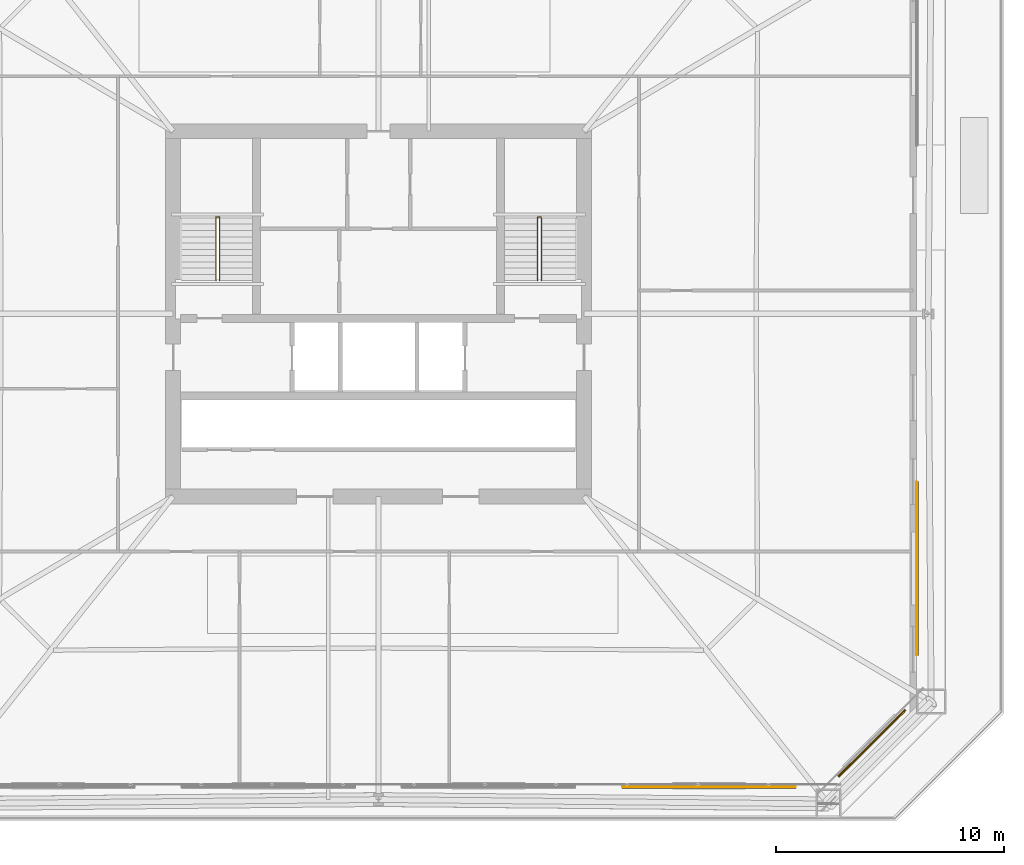
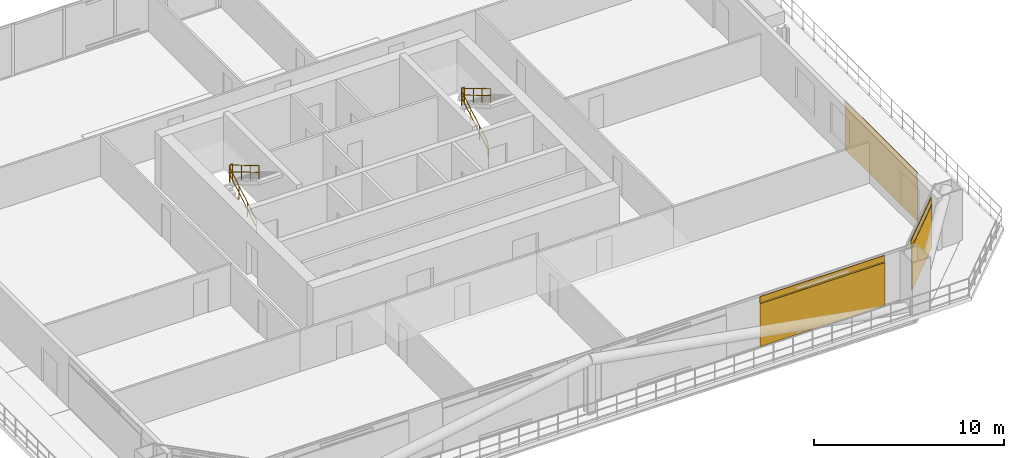
# One storey, part 33 of 34: 6 railings, 3 coverings, 3 shading devices.
"""IFC4 building model written with IfcOpenShell, lengths in metres."""

from ifc_helpers import new_model, si_unit, direction, frame, origin, origin_2d, place, context, subcontext, project, spatial, rectangle, circle, extrude, material, layer, layer_set, type_object, element, save


model = new_model("IFC4")

# Units and contexts
model_context = context("Model", 3, precision=1e-05, world=origin(), true_north=direction((0.0, 1.0)))
body_context = subcontext(model_context, "Body", "Model", "MODEL_VIEW")
ifc_project = project(units=[si_unit("LENGTHUNIT", "METRE"), si_unit("AREAUNIT", "SQUARE_METRE"), si_unit("VOLUMEUNIT", "CUBIC_METRE"), si_unit("PLANEANGLEUNIT", "RADIAN"), si_unit("MASSUNIT", "GRAM", prefix="KILO")], contexts=[model_context])

# Site, building, storey
site_placement = place(None, origin())
site = spatial("IfcSite", under=ifc_project, at=site_placement, CompositionType="ELEMENT")
building_placement = place(site_placement, origin())
building = spatial("IfcBuilding", under=site, at=building_placement, Name="Caelvoria Tower", CompositionType="ELEMENT")
storey_placement = place(building_placement, frame((0.0, 0.0, 28.0)))
storey = spatial("IfcBuildingStorey", under=building, at=storey_placement, Name="L06", CompositionType="ELEMENT", Elevation=28.0)

# Coverings
ifc_material_1 = material(Name="Perforated Architectural Bronze Cladding Screen", Category="bronze")
ifc_layer_1 = layer(ifc_material_1, 0.0400390625, Name="Perforated Architectural Bronze Cladding Screen")
ifc_layer_set_1 = layer_set([ifc_layer_1], Name="Perforated Bronze Louvre Cladding Band 40 - Perforated Architectural Bronze Cladding Screen")
covering_type = type_object("IfcCoveringType", Name="Perforated Bronze Louvre Cladding Band 40", PredefinedType="CLADDING", material=ifc_layer_set_1)
covering_1_placement = place(storey_placement, frame((60.47509765625, 11.278076171875, 2.93994140625), z_axis=(0.0, 0.0, 1.0), x_axis=(1.0, 0.0, 0.0)))
element("IfcCovering", 1, at=covering_1_placement, inside=storey, type_object=covering_type, Name="Perforated Bronze Screen Band L06-E0-03", PredefinedType="CLADDING", context=body_context, shape_type="SweptSolid", body=[
    extrude(rectangle(XDim=7.60009765625, YDim=0.0400390625, at=origin_2d()), origin(), (0.0, 0.0, 1.0), 0.39990234375),
])
covering_2_placement = place(storey_placement, frame((67.59619140625, 13.20361328125, 2.93994140625), z_axis=(0.0, 0.0, 1.0), x_axis=(0.707106781187, 0.707106781187, 0.0)))
element("IfcCovering", 2, at=covering_2_placement, inside=storey, type_object=covering_type, Name="Perforated Bronze Screen Band L06-E1-00", PredefinedType="CLADDING", context=body_context, shape_type="SweptSolid", body=[
    extrude(rectangle(XDim=4.140625, YDim=0.0400390625, at=origin_2d()), origin(), (0.0, 0.0, 1.0), 0.39990234375),
])
covering_3_placement = place(storey_placement, frame((69.572021484375, 20.840087890625, 2.93994140625), z_axis=(0.0, 0.0, 1.0), x_axis=(0.0, 1.0, 0.0)))
element("IfcCovering", 3, at=covering_3_placement, inside=storey, type_object=covering_type, Name="Perforated Bronze Screen Band L06-E2-00", PredefinedType="CLADDING", context=body_context, shape_type="SweptSolid", body=[
    extrude(rectangle(XDim=7.60009765625, YDim=0.0400390625, at=origin_2d()), origin(), (0.0, 0.0, 1.0), 0.39990234375),
])

# Shading devices
ifc_material_2 = material(Name="Perforated Architectural Bronze Alloy Panel", Category="bronze")
ifc_layer_2 = layer(ifc_material_2, 0.044921875, Name="Perforated Architectural Bronze Alloy Panel")
ifc_layer_set_2 = layer_set([ifc_layer_2], Name="Perforated Bronze Solar Screen Panel SCREEN - Perforated Architectural Bronze Alloy Panel")
shading_device_type = type_object("IfcShadingDeviceType", Name="Perforated Bronze Solar Screen Panel SCREEN", PredefinedType="USERDEFINED", material=ifc_layer_set_2)
shading_device_1_placement = place(storey_placement, frame((60.47509765625, 11.235107421875, 0.159912109375), z_axis=(0.0, 0.0, 1.0), x_axis=(1.0, 0.0, 0.0)))
element("IfcShadingDevice", 4, at=shading_device_1_placement, inside=storey, type_object=shading_device_type, Name="Perforated Bronze Solar Screen L06-E0-03", ObjectType="SCREEN", PredefinedType="USERDEFINED", context=body_context, shape_type="SweptSolid", body=[
    extrude(rectangle(XDim=7.60009765625, YDim=0.044921875, at=origin_2d()), origin(), (0.0, 0.0, 1.0), 2.75),
])
shading_device_2_placement = place(storey_placement, frame((67.626708984375, 13.17333984375, 0.159912109375), z_axis=(0.0, 0.0, 1.0), x_axis=(0.707106781187, 0.707106781187, 0.0)))
element("IfcShadingDevice", 5, at=shading_device_2_placement, inside=storey, type_object=shading_device_type, Name="Perforated Bronze Solar Screen L06-E1-00", ObjectType="SCREEN", PredefinedType="USERDEFINED", context=body_context, shape_type="SweptSolid", body=[
    extrude(rectangle(XDim=4.140625, YDim=0.044921875, at=origin_2d()), origin(), (0.0, 0.0, 1.0), 2.75),
])
shading_device_3_placement = place(storey_placement, frame((69.614990234375, 20.840087890625, 0.159912109375), z_axis=(0.0, 0.0, 1.0), x_axis=(0.0, 1.0, 0.0)))
element("IfcShadingDevice", 6, at=shading_device_3_placement, inside=storey, type_object=shading_device_type, Name="Perforated Bronze Solar Screen L06-E2-00", ObjectType="SCREEN", PredefinedType="USERDEFINED", context=body_context, shape_type="SweptSolid", body=[
    extrude(rectangle(XDim=7.60009765625, YDim=0.044921875, at=origin_2d()), origin(), (0.0, 0.0, 1.0), 2.75),
])

# Railings
ifc_material_3 = material(Name="Brushed Stainless Steel Tube", Category="steel")
railing_type_1 = type_object("IfcRailingType", Name="Stair Tubular Stainless Handrail 920", PredefinedType="HANDRAIL", material=ifc_material_3)
railing_1_placement = place(storey_placement, frame((38.8701171875, 33.449951171875, 0.16357421875)))
element("IfcRailing", 7, at=railing_1_placement, inside=storey, type_object=railing_type_1, Name="ST-01 Flight 1 Handrail L06", PredefinedType="HANDRAIL", context=body_context, shape_type="SweptSolid", body=[
    extrude(circle(Radius=0.02392578125, at=origin_2d()), frame((0.0, 0.0, 0.89599609375), z_axis=(0.0, 0.859351957796, 0.511384603436), x_axis=(-1.0, 0.0, 0.0)), (0.0, 0.0, 1.0), 3.2001953125),
    extrude(circle(Radius=0.02392578125, at=origin_2d()), frame((0.0, 0.0, 0.4599609375), z_axis=(0.0, 0.859351957796, 0.511384603436), x_axis=(-1.0, 0.0, 0.0)), (0.0, 0.0, 1.0), 3.2001953125),
    extrude(circle(Radius=0.02099609375, at=origin_2d()), origin(), (0.0, 0.0, 1.0), 0.871826171875),
    extrude(circle(Radius=0.02099609375, at=origin_2d()), frame((0.0, 0.916748046875, 0.54541015625)), (0.0, 0.0, 1.0), 0.871826171875),
    extrude(circle(Radius=0.02099609375, at=origin_2d()), frame((0.0, 1.833251953125, 1.091064453125)), (0.0, 0.0, 1.0), 0.871826171875),
    extrude(circle(Radius=0.02099609375, at=origin_2d()), frame((0.0, 2.75, 1.636474609375)), (0.0, 0.0, 1.0), 0.871826171875),
])
railing_2_placement = place(storey_placement, frame((39.030029296875, 36.199951171875, 1.963623046875)))
element("IfcRailing", 8, at=railing_2_placement, inside=storey, type_object=railing_type_1, Name="ST-01 Flight 2 Handrail L06", PredefinedType="HANDRAIL", context=body_context, shape_type="SweptSolid", body=[
    extrude(circle(Radius=0.02392578125, at=origin_2d()), frame((0.0, 0.0, 0.89599609375), z_axis=(0.0, -0.859351957796, 0.511384603436), x_axis=(1.0, 0.0, 0.0)), (0.0, 0.0, 1.0), 3.2001953125),
    extrude(circle(Radius=0.02392578125, at=origin_2d()), frame((0.0, 0.0, 0.4599609375), z_axis=(0.0, -0.859351957796, 0.511384603436), x_axis=(1.0, 0.0, 0.0)), (0.0, 0.0, 1.0), 3.2001953125),
    extrude(circle(Radius=0.02099609375, at=origin_2d()), origin(), (0.0, 0.0, 1.0), 0.871826171875),
    extrude(circle(Radius=0.02099609375, at=origin_2d()), frame((0.0, -0.916748046875, 0.54541015625)), (0.0, 0.0, 1.0), 0.871826171875),
    extrude(circle(Radius=0.02099609375, at=origin_2d()), frame((0.0, -1.833251953125, 1.091064453125)), (0.0, 0.0, 1.0), 0.871826171875),
    extrude(circle(Radius=0.02099609375, at=origin_2d()), frame((0.0, -2.75, 1.636474609375)), (0.0, 0.0, 1.0), 0.871826171875),
])
railing_3_placement = place(storey_placement, frame((52.969970703125, 33.449951171875, 0.16357421875)))
element("IfcRailing", 9, at=railing_3_placement, inside=storey, type_object=railing_type_1, Name="ST-02 Flight 1 Handrail L06", PredefinedType="HANDRAIL", context=body_context, shape_type="SweptSolid", body=[
    extrude(circle(Radius=0.02392578125, at=origin_2d()), frame((0.0, 0.0, 0.89599609375), z_axis=(0.0, 0.859351957796, 0.511384603436), x_axis=(-1.0, 0.0, 0.0)), (0.0, 0.0, 1.0), 3.2001953125),
    extrude(circle(Radius=0.02392578125, at=origin_2d()), frame((0.0, 0.0, 0.4599609375), z_axis=(0.0, 0.859351957796, 0.511384603436), x_axis=(-1.0, 0.0, 0.0)), (0.0, 0.0, 1.0), 3.2001953125),
    extrude(circle(Radius=0.02099609375, at=origin_2d()), origin(), (0.0, 0.0, 1.0), 0.871826171875),
    extrude(circle(Radius=0.02099609375, at=origin_2d()), frame((0.0, 0.916748046875, 0.54541015625)), (0.0, 0.0, 1.0), 0.871826171875),
    extrude(circle(Radius=0.02099609375, at=origin_2d()), frame((0.0, 1.833251953125, 1.091064453125)), (0.0, 0.0, 1.0), 0.871826171875),
    extrude(circle(Radius=0.02099609375, at=origin_2d()), frame((0.0, 2.75, 1.636474609375)), (0.0, 0.0, 1.0), 0.871826171875),
])
railing_4_placement = place(storey_placement, frame((53.1298828125, 36.199951171875, 1.963623046875)))
element("IfcRailing", 10, at=railing_4_placement, inside=storey, type_object=railing_type_1, Name="ST-02 Flight 2 Handrail L06", PredefinedType="HANDRAIL", context=body_context, shape_type="SweptSolid", body=[
    extrude(circle(Radius=0.02392578125, at=origin_2d()), frame((0.0, 0.0, 0.89599609375), z_axis=(0.0, -0.859351957796, 0.511384603436), x_axis=(1.0, 0.0, 0.0)), (0.0, 0.0, 1.0), 3.2001953125),
    extrude(circle(Radius=0.02392578125, at=origin_2d()), frame((0.0, 0.0, 0.4599609375), z_axis=(0.0, -0.859351957796, 0.511384603436), x_axis=(1.0, 0.0, 0.0)), (0.0, 0.0, 1.0), 3.2001953125),
    extrude(circle(Radius=0.02099609375, at=origin_2d()), origin(), (0.0, 0.0, 1.0), 0.871826171875),
    extrude(circle(Radius=0.02099609375, at=origin_2d()), frame((0.0, -0.916748046875, 0.54541015625)), (0.0, 0.0, 1.0), 0.871826171875),
    extrude(circle(Radius=0.02099609375, at=origin_2d()), frame((0.0, -1.833251953125, 1.091064453125)), (0.0, 0.0, 1.0), 0.871826171875),
    extrude(circle(Radius=0.02099609375, at=origin_2d()), frame((0.0, -2.75, 1.636474609375)), (0.0, 0.0, 1.0), 0.871826171875),
])
ifc_material_4 = material(Name="Brushed Stainless Steel Guardrail", Category="steel")
railing_type_2 = type_object("IfcRailingType", Name="Stair Well and Ramp Guardrail 1120", PredefinedType="GUARDRAIL", material=ifc_material_4)
for number, where, name in (
    (11, (38.8701171875, 36.239990234375, 1.800048828125), "ST-01 Half-Landing Well Guard L06"),
    (12, (52.969970703125, 36.239990234375, 1.800048828125), "ST-02 Half-Landing Well Guard L06"),
):
    element("IfcRailing", number, at=place(storey_placement, frame(where)), inside=storey, type_object=railing_type_2, Name=name, PredefinedType="GUARDRAIL", context=body_context, shape_type="SweptSolid", body=[
        extrude(circle(Radius=0.02392578125, at=origin_2d()), frame((0.0, 0.0, 1.09619140625), z_axis=(1.0, 0.0, 0.0), x_axis=(0.0, 1.0, 0.0)), (0.0, 0.0, 1.0), 0.159912109375),
        extrude(circle(Radius=0.02392578125, at=origin_2d()), frame((0.0, 0.0, 0.56005859375), z_axis=(1.0, 0.0, 0.0), x_axis=(0.0, 1.0, 0.0)), (0.0, 0.0, 1.0), 0.159912109375),
        extrude(circle(Radius=0.02099609375, at=origin_2d()), origin(), (0.0, 0.0, 1.0), 1.072021484375),
        extrude(circle(Radius=0.02099609375, at=origin_2d()), frame((0.159912109375, 0.0, 0.0)), (0.0, 0.0, 1.0), 1.072021484375),
    ])

save(model, "model.ifc")
